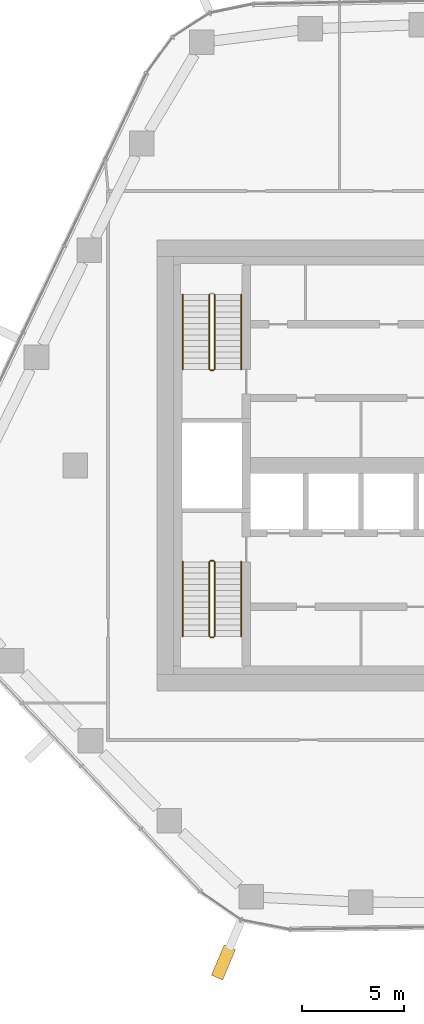
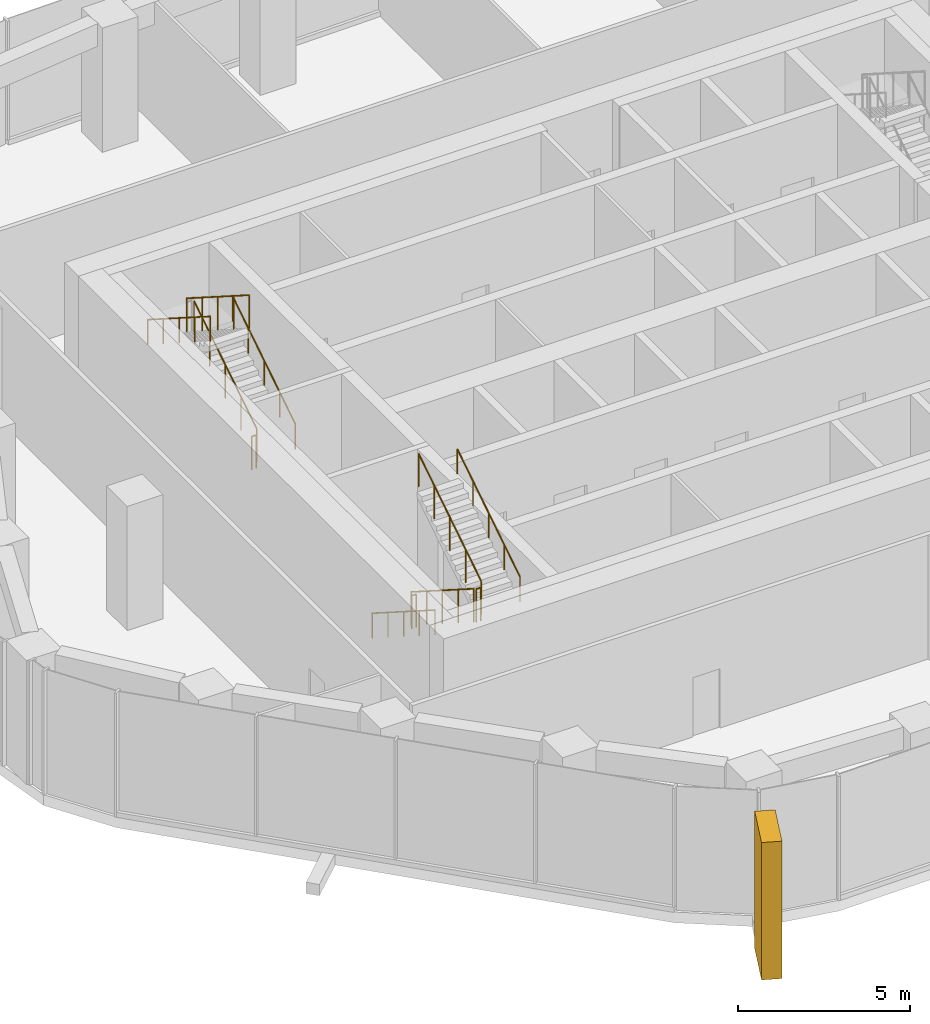
# One storey, part 14 of 16: 11 railings, 1 covering, 1 element without a shape of its own.
"""IFC4 building model written with IfcOpenShell, lengths in metres."""

from ifc_helpers import new_model, si_unit, direction, frame, origin, origin_2d, place, context, subcontext, project, spatial, rectangle, circle, extrude, material, layer, layer_set, material_profile, profile_set, type_object, element, aggregate, save


model = new_model("IFC4")

# Units and contexts
model_context = context("Model", 3, precision=1e-05, world=origin(), true_north=direction((0.0, 1.0)))
body_context = subcontext(model_context, "Body", "Model", "MODEL_VIEW")
ifc_project = project(units=[si_unit("LENGTHUNIT", "METRE"), si_unit("AREAUNIT", "SQUARE_METRE"), si_unit("VOLUMEUNIT", "CUBIC_METRE"), si_unit("PLANEANGLEUNIT", "RADIAN"), si_unit("MASSUNIT", "GRAM", prefix="KILO")], contexts=[model_context])

# Site, building, storey
site_placement = place(None, origin())
site = spatial("IfcSite", under=ifc_project, at=site_placement, CompositionType="ELEMENT")
building_placement = place(site_placement, origin())
building = spatial("IfcBuilding", under=site, at=building_placement, Name="Dongbaek Canopy Tower", CompositionType="ELEMENT")
storey_placement = place(building_placement, frame((0.0, 0.0, 215.60009765625)))
storey = spatial("IfcBuildingStorey", under=building, at=storey_placement, Name="L45", CompositionType="ELEMENT", Elevation=215.60009765625)

# Curtain wall, covering
ifc_material_1 = material(Name="Aluminium 6063-T6 pale anodised", Category="aluminium")
ifc_layer = layer(ifc_material_1, 0.25)
ifc_layer_set = layer_set([ifc_layer], Name="CW-4 sky-lobby curtain wall")
curtain_wall_type = type_object("IfcCurtainWallType", Name="CW-4 sky-lobby curtain wall", PredefinedType="NOTDEFINED", material=ifc_layer_set)
curtain_wall_placement = place(storey_placement, origin())
curtain_wall = element("IfcCurtainWall", 1, at=curtain_wall_placement, inside=storey, type_object=curtain_wall_type, Name="CW-4 curtain wall K4.1", PredefinedType="NOTDEFINED")
ifc_material_2 = material(Name="Aluminium 6063-T6 pale metal fin", Category="aluminium")
ifc_material_profile = material_profile(ifc_material_2, rectangle(XDim=1.60009765625, YDim=0.60009765625, at=origin_2d()), Name="Corner fin CN1 600 x 1600 pale metal")
ifc_profile_set = profile_set([ifc_material_profile], Name="Aluminium 6063-T6 pale metal fin")
covering_type = type_object("IfcCoveringType", Name="Corner fin CN1 600 x 1600 pale metal", PredefinedType="CLADDING", material=ifc_profile_set)
covering_placement = place(storey_placement, frame((-10.76953125, -24.26806640625, -0.190185546875), z_axis=(0.0, 0.0, 1.0), x_axis=(-0.388184809418, -0.921581550237, 0.0)))
covering = element("IfcCovering", 2, at=covering_placement, type_object=covering_type, Name="Corner fin L45 L45 K4", PredefinedType="CLADDING", context=body_context, shape_type="SweptSolid", body=[
    extrude(rectangle(XDim=1.60009765625, YDim=0.60009765625, at=origin_2d()), origin(), (0.0, 0.0, 1.0), 4.8701171875),
])
aggregate(curtain_wall, [covering])

# Railings
ifc_material_3 = material(Name="Stainless steel tube and balusters", Category="steel")
railing_type_1 = type_object("IfcRailingType", Name="Stair guard 1200", PredefinedType="GUARDRAIL", material=ifc_material_3)
railing_1_placement = place(storey_placement, frame((-11.199951171875, 4.699951171875, 0.178466796875)))
element("IfcRailing", 3, at=railing_1_placement, inside=storey, type_object=railing_type_1, Name="L45 ST-C stair guard 1", PredefinedType="GUARDRAIL", context=body_context, shape_type="SweptSolid", body=[
    extrude(circle(Radius=0.02392578125, at=origin_2d()), frame((0.0, 0.0, 1.17578125), z_axis=(0.0, 0.843127859045, 0.537713132908), x_axis=(-1.0, 0.0, 0.0)), (0.0, 0.0, 1.0), 4.3173828125),
    extrude(circle(Radius=0.02099609375, at=origin_2d()), origin(), (0.0, 0.0, 1.0), 1.15185546875),
    extrude(circle(Radius=0.02099609375, at=origin_2d()), frame((0.0, 0.91015625, 0.580322265625)), (0.0, 0.0, 1.0), 1.15185546875),
    extrude(circle(Radius=0.02099609375, at=origin_2d()), frame((0.0, 1.820068359375, 1.16064453125)), (0.0, 0.0, 1.0), 1.15185546875),
    extrude(circle(Radius=0.02099609375, at=origin_2d()), frame((0.0, 2.72998046875, 1.7412109375)), (0.0, 0.0, 1.0), 1.15185546875),
    extrude(circle(Radius=0.02099609375, at=origin_2d()), frame((0.0, 3.64013671875, 2.321533203125)), (0.0, 0.0, 1.0), 1.15185546875),
])
railing_2_placement = place(storey_placement, frame((-11.449951171875, 8.340087890625, 2.678466796875)))
element("IfcRailing", 4, at=railing_2_placement, inside=storey, type_object=railing_type_1, Name="L45 ST-C stair guard 3", PredefinedType="GUARDRAIL", context=body_context, shape_type="SweptSolid", body=[
    extrude(circle(Radius=0.02392578125, at=origin_2d()), frame((0.0, 0.0, 1.17578125), z_axis=(0.0, -0.843127859045, 0.537713132908), x_axis=(1.0, 0.0, 0.0)), (0.0, 0.0, 1.0), 4.3173828125),
    extrude(circle(Radius=0.02099609375, at=origin_2d()), origin(), (0.0, 0.0, 1.0), 1.15185546875),
    extrude(circle(Radius=0.02099609375, at=origin_2d()), frame((0.0, -0.91015625, 0.580322265625)), (0.0, 0.0, 1.0), 1.15185546875),
    extrude(circle(Radius=0.02099609375, at=origin_2d()), frame((0.0, -1.820068359375, 1.16064453125)), (0.0, 0.0, 1.0), 1.15185546875),
    extrude(circle(Radius=0.02099609375, at=origin_2d()), frame((0.0, -2.72998046875, 1.7412109375)), (0.0, 0.0, 1.0), 1.15185546875),
    extrude(circle(Radius=0.02099609375, at=origin_2d()), frame((0.0, -3.64013671875, 2.321533203125)), (0.0, 0.0, 1.0), 1.15185546875),
])
railing_3_placement = place(storey_placement, frame((-11.25, 4.64990234375, 0.0)))
element("IfcRailing", 5, at=railing_3_placement, inside=storey, type_object=railing_type_1, Name="L45 ST-C stair guard 4", PredefinedType="GUARDRAIL", context=body_context, shape_type="SweptSolid", body=[
    extrude(circle(Radius=0.02392578125, at=origin_2d()), frame((0.0, 0.0, 1.17578125), z_axis=(-1.0, 0.0, 0.0), x_axis=(0.0, -1.0, 0.0)), (0.0, 0.0, 1.0), 0.14990234375),
    extrude(circle(Radius=0.02099609375, at=origin_2d()), origin(), (0.0, 0.0, 1.0), 1.15185546875),
    extrude(circle(Radius=0.02099609375, at=origin_2d()), frame((-0.14990234375, 0.0, 0.0)), (0.0, 0.0, 1.0), 1.15185546875),
])
railing_4_placement = place(storey_placement, frame((-11.449951171875, -4.699951171875, 0.178466796875)))
element("IfcRailing", 6, at=railing_4_placement, inside=storey, type_object=railing_type_1, Name="L45 ST-D stair guard 1", PredefinedType="GUARDRAIL", context=body_context, shape_type="SweptSolid", body=[
    extrude(circle(Radius=0.02392578125, at=origin_2d()), frame((0.0, 0.0, 1.17578125), z_axis=(0.0, -0.843127859045, 0.537713132908), x_axis=(1.0, 0.0, 0.0)), (0.0, 0.0, 1.0), 4.3173828125),
    extrude(circle(Radius=0.02099609375, at=origin_2d()), origin(), (0.0, 0.0, 1.0), 1.15185546875),
    extrude(circle(Radius=0.02099609375, at=origin_2d()), frame((0.0, -0.91015625, 0.580322265625)), (0.0, 0.0, 1.0), 1.15185546875),
    extrude(circle(Radius=0.02099609375, at=origin_2d()), frame((0.0, -1.820068359375, 1.16064453125)), (0.0, 0.0, 1.0), 1.15185546875),
    extrude(circle(Radius=0.02099609375, at=origin_2d()), frame((0.0, -2.72998046875, 1.7412109375)), (0.0, 0.0, 1.0), 1.15185546875),
    extrude(circle(Radius=0.02099609375, at=origin_2d()), frame((0.0, -3.64013671875, 2.321533203125)), (0.0, 0.0, 1.0), 1.15185546875),
])
railing_5_placement = place(storey_placement, frame((-11.39990234375, -8.389892578125, 2.5)))
element("IfcRailing", 7, at=railing_5_placement, inside=storey, type_object=railing_type_1, Name="L45 ST-D stair guard 2", PredefinedType="GUARDRAIL", context=body_context, shape_type="SweptSolid", body=[
    extrude(circle(Radius=0.02392578125, at=origin_2d()), frame((0.0, 0.0, 1.17578125), z_axis=(1.0, 0.0, 0.0), x_axis=(0.0, 1.0, 0.0)), (0.0, 0.0, 1.0), 0.14990234375),
    extrude(circle(Radius=0.02099609375, at=origin_2d()), origin(), (0.0, 0.0, 1.0), 1.15185546875),
    extrude(circle(Radius=0.02099609375, at=origin_2d()), frame((0.14990234375, 0.0, 0.0)), (0.0, 0.0, 1.0), 1.15185546875),
])
railing_6_placement = place(storey_placement, frame((-11.199951171875, -8.340087890625, 2.678466796875)))
element("IfcRailing", 8, at=railing_6_placement, inside=storey, type_object=railing_type_1, Name="L45 ST-D stair guard 3", PredefinedType="GUARDRAIL", context=body_context, shape_type="SweptSolid", body=[
    extrude(circle(Radius=0.02392578125, at=origin_2d()), frame((0.0, 0.0, 1.17578125), z_axis=(0.0, 0.843127859045, 0.537713132908), x_axis=(-1.0, 0.0, 0.0)), (0.0, 0.0, 1.0), 4.3173828125),
    extrude(circle(Radius=0.02099609375, at=origin_2d()), origin(), (0.0, 0.0, 1.0), 1.15185546875),
    extrude(circle(Radius=0.02099609375, at=origin_2d()), frame((0.0, 0.91015625, 0.580322265625)), (0.0, 0.0, 1.0), 1.15185546875),
    extrude(circle(Radius=0.02099609375, at=origin_2d()), frame((0.0, 1.820068359375, 1.16064453125)), (0.0, 0.0, 1.0), 1.15185546875),
    extrude(circle(Radius=0.02099609375, at=origin_2d()), frame((0.0, 2.72998046875, 1.7412109375)), (0.0, 0.0, 1.0), 1.15185546875),
    extrude(circle(Radius=0.02099609375, at=origin_2d()), frame((0.0, 3.64013671875, 2.321533203125)), (0.0, 0.0, 1.0), 1.15185546875),
])
railing_7_placement = place(storey_placement, frame((-11.39990234375, -4.64990234375, 0.0)))
element("IfcRailing", 9, at=railing_7_placement, inside=storey, type_object=railing_type_1, Name="L45 ST-D stair guard 4", PredefinedType="GUARDRAIL", context=body_context, shape_type="SweptSolid", body=[
    extrude(circle(Radius=0.02392578125, at=origin_2d()), frame((0.0, 0.0, 1.17578125), z_axis=(1.0, 0.0, 0.0), x_axis=(0.0, 1.0, 0.0)), (0.0, 0.0, 1.0), 0.14990234375),
    extrude(circle(Radius=0.02099609375, at=origin_2d()), origin(), (0.0, 0.0, 1.0), 1.15185546875),
    extrude(circle(Radius=0.02099609375, at=origin_2d()), frame((0.14990234375, 0.0, 0.0)), (0.0, 0.0, 1.0), 1.15185546875),
])
ifc_material_4 = material(Name="Stainless steel tube", Category="steel")
railing_type_2 = type_object("IfcRailingType", Name="Stair handrail 900", PredefinedType="HANDRAIL", material=ifc_material_4)
railing_8_placement = place(storey_placement, frame((-9.89990234375, 4.699951171875, 0.178466796875)))
element("IfcRailing", 10, at=railing_8_placement, inside=storey, type_object=railing_type_2, Name="L45 ST-C stair handrail 1", PredefinedType="HANDRAIL", context=body_context, shape_type="SweptSolid", body=[
    extrude(circle(Radius=0.02392578125, at=origin_2d()), frame((0.0, 0.0, 0.8759765625), z_axis=(0.0, 0.843127859045, 0.537713132908), x_axis=(-1.0, 0.0, 0.0)), (0.0, 0.0, 1.0), 4.3173828125),
    extrude(circle(Radius=0.02099609375, at=origin_2d()), origin(), (0.0, 0.0, 1.0), 0.851806640625),
    extrude(circle(Radius=0.02099609375, at=origin_2d()), frame((0.0, 0.91015625, 0.580322265625)), (0.0, 0.0, 1.0), 0.851806640625),
    extrude(circle(Radius=0.02099609375, at=origin_2d()), frame((0.0, 1.820068359375, 1.16064453125)), (0.0, 0.0, 1.0), 0.851806640625),
    extrude(circle(Radius=0.02099609375, at=origin_2d()), frame((0.0, 2.72998046875, 1.7412109375)), (0.0, 0.0, 1.0), 0.851806640625),
    extrude(circle(Radius=0.02099609375, at=origin_2d()), frame((0.0, 3.64013671875, 2.321533203125)), (0.0, 0.0, 1.0), 0.851806640625),
])
for number, where, name in (
    (11, (-12.75, 8.340087890625, 2.678466796875), "L45 ST-C stair handrail 2"),
    (12, (-12.75, -4.699951171875, 0.178466796875), "L45 ST-D stair handrail 1"),
):
    element("IfcRailing", number, at=place(storey_placement, frame(where)), inside=storey, type_object=railing_type_2, Name=name, PredefinedType="HANDRAIL", context=body_context, shape_type="SweptSolid", body=[
        extrude(circle(Radius=0.02392578125, at=origin_2d()), frame((0.0, 0.0, 0.8759765625), z_axis=(0.0, -0.843127859045, 0.537713132908), x_axis=(1.0, 0.0, 0.0)), (0.0, 0.0, 1.0), 4.3173828125),
        extrude(circle(Radius=0.02099609375, at=origin_2d()), origin(), (0.0, 0.0, 1.0), 0.851806640625),
        extrude(circle(Radius=0.02099609375, at=origin_2d()), frame((0.0, -0.91015625, 0.580322265625)), (0.0, 0.0, 1.0), 0.851806640625),
        extrude(circle(Radius=0.02099609375, at=origin_2d()), frame((0.0, -1.820068359375, 1.16064453125)), (0.0, 0.0, 1.0), 0.851806640625),
        extrude(circle(Radius=0.02099609375, at=origin_2d()), frame((0.0, -2.72998046875, 1.7412109375)), (0.0, 0.0, 1.0), 0.851806640625),
        extrude(circle(Radius=0.02099609375, at=origin_2d()), frame((0.0, -3.64013671875, 2.321533203125)), (0.0, 0.0, 1.0), 0.851806640625),
    ])
railing_9_placement = place(storey_placement, frame((-9.89990234375, -8.340087890625, 2.678466796875)))
element("IfcRailing", 13, at=railing_9_placement, inside=storey, type_object=railing_type_2, Name="L45 ST-D stair handrail 2", PredefinedType="HANDRAIL", context=body_context, shape_type="SweptSolid", body=[
    extrude(circle(Radius=0.02392578125, at=origin_2d()), frame((0.0, 0.0, 0.8759765625), z_axis=(0.0, 0.843127859045, 0.537713132908), x_axis=(-1.0, 0.0, 0.0)), (0.0, 0.0, 1.0), 4.3173828125),
    extrude(circle(Radius=0.02099609375, at=origin_2d()), origin(), (0.0, 0.0, 1.0), 0.851806640625),
    extrude(circle(Radius=0.02099609375, at=origin_2d()), frame((0.0, 0.91015625, 0.580322265625)), (0.0, 0.0, 1.0), 0.851806640625),
    extrude(circle(Radius=0.02099609375, at=origin_2d()), frame((0.0, 1.820068359375, 1.16064453125)), (0.0, 0.0, 1.0), 0.851806640625),
    extrude(circle(Radius=0.02099609375, at=origin_2d()), frame((0.0, 2.72998046875, 1.7412109375)), (0.0, 0.0, 1.0), 0.851806640625),
    extrude(circle(Radius=0.02099609375, at=origin_2d()), frame((0.0, 3.64013671875, 2.321533203125)), (0.0, 0.0, 1.0), 0.851806640625),
])

save(model, "model.ifc")
